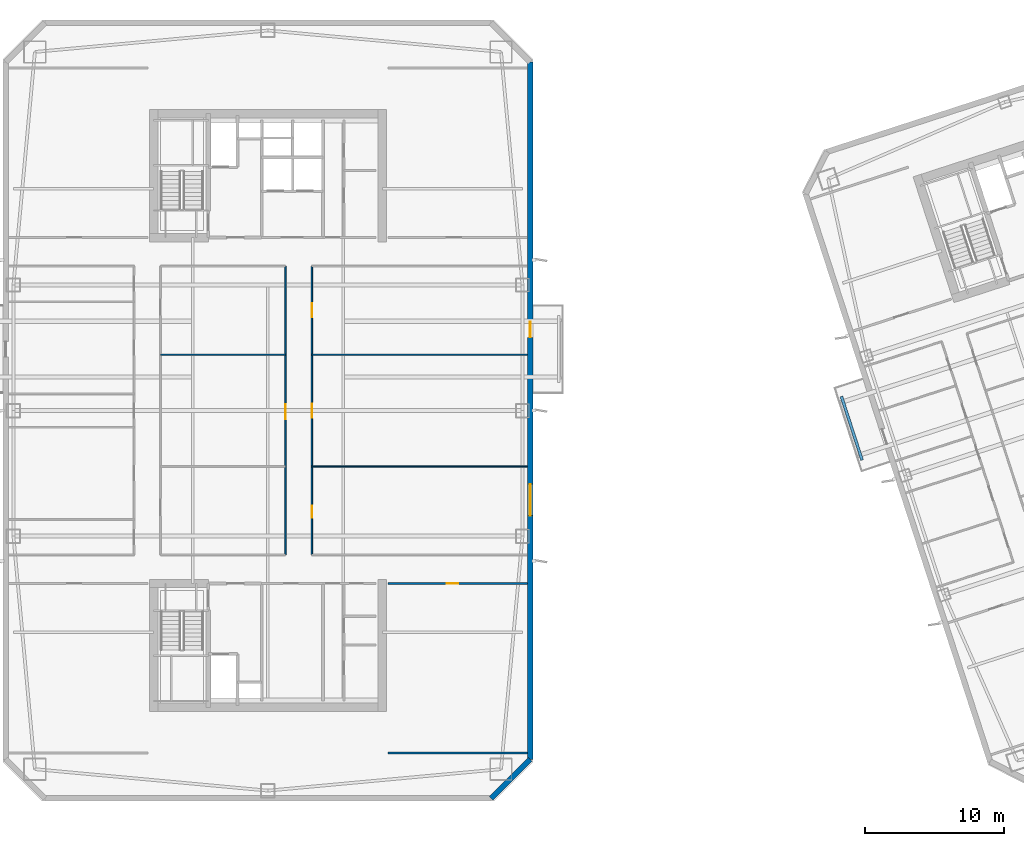
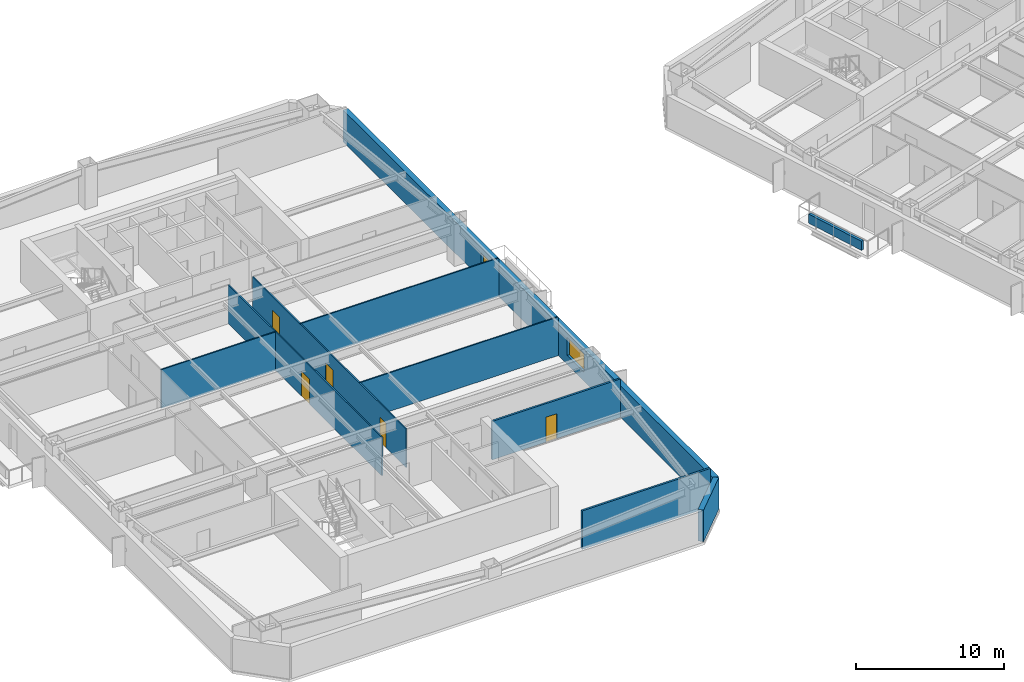
# One storey, part 6 of 17: 10 walls, 6 doors, 1 window, 7 openings.
"""IFC4 building model written with IfcOpenShell, lengths in metres."""

from ifc_helpers import new_model, si_unit, direction, frame, frame_2d, origin, place, context, subcontext, project, spatial, rectangle, extrude, material, layer, layer_set, type_object, element, fill, save


model = new_model("IFC4")

# Units and contexts
model_context = context("Model", 3, precision=1e-05, world=origin(), true_north=direction((0.0, 1.0)))
body_context = subcontext(model_context, "Body", "Model", "MODEL_VIEW")
ifc_project = project(units=[si_unit("LENGTHUNIT", "METRE"), si_unit("AREAUNIT", "SQUARE_METRE"), si_unit("VOLUMEUNIT", "CUBIC_METRE"), si_unit("PLANEANGLEUNIT", "RADIAN"), si_unit("MASSUNIT", "GRAM", prefix="KILO")], contexts=[model_context])

# Site, building, storey
site_placement = place(None, origin())
site = spatial("IfcSite", under=ifc_project, at=site_placement, CompositionType="ELEMENT")
building_placement = place(site_placement, origin())
building = spatial("IfcBuilding", under=site, at=building_placement, Name="Qiaolan Cultural Towers", CompositionType="ELEMENT")
storey_placement = place(building_placement, frame((0.0, 0.0, 142.60009765625)))
storey = spatial("IfcBuildingStorey", under=building, at=storey_placement, Name="L37", CompositionType="ELEMENT", Elevation=142.60009765625)

# Wall, openings, door, window
ifc_material_1 = material(Name="Precast Concrete C50 Honed Stone Pier", Category="masonry")
ifc_layer_1 = layer(ifc_material_1, 0.39990234375)
ifc_layer_set_1 = layer_set([ifc_layer_1], Name="Precast Concrete C50 Honed Stone Pier")
wall_type_1 = type_object("IfcWallType", Name="WL-EXT-PIER-400", PredefinedType="SOLIDWALL", material=ifc_layer_set_1)
wall_1_placement = place(storey_placement, frame((48.800048828125, 59.0, 0.0), z_axis=(0.0, 0.0, 1.0), x_axis=(0.0, -1.0, 0.0)))
wall_1 = element("IfcWall", 1, at=wall_1_placement, inside=storey, type_object=wall_type_1, Name="L37 West Tower Precast Pier Facade Wall F5", PredefinedType="SOLIDWALL", context=body_context, shape_type="SweptSolid", body=[
    extrude(rectangle(XDim=50.0, YDim=0.39990234375, at=frame_2d((25.0, 0.0))), origin(), (0.0, 0.0, 1.0), 2.60986328125),
])
opening_1_placement = place(wall_1_placement, frame((30.27490234375, 0.0, 0.75)))
opening_1 = element("IfcOpeningElement", 2, at=opening_1_placement, cuts=wall_1, Name="Opening W-03", PredefinedType="OPENING", context=body_context, shape_type="SweptSolid", body=[
    extrude(rectangle(XDim=2.25, YDim=1.4599609375, at=frame_2d((1.125, 0.72998046875))), frame((0.0, 0.2099609375, 0.0), z_axis=(0.0, -1.0, 0.0), x_axis=(1.0, 0.0, 0.0)), (0.0, 0.0, 1.0), 0.419921875),
])
opening_2_placement = place(wall_1_placement, frame((18.64990234375, 0.0, 0.0)))
opening_2 = element("IfcOpeningElement", 3, at=opening_2_placement, cuts=wall_1, Name="Opening BD-01", PredefinedType="OPENING", context=body_context, shape_type="SweptSolid", body=[
    extrude(rectangle(XDim=1.10009765625, YDim=2.14990234375, at=frame_2d((0.550048828125, 1.074951171875))), frame((0.0, 0.2099609375, 0.0), z_axis=(0.0, -1.0, 0.0), x_axis=(1.0, 0.0, 0.0)), (0.0, 0.0, 1.0), 0.419921875),
])
ifc_material_2 = material(Name="Thermally Broken Aluminium Glazed Terrace Door", Category="aluminium")
door_type_1 = type_object("IfcDoorType", Name="DR-BAL-1100", OperationType="NOTDEFINED", PredefinedType="DOOR", material=ifc_material_2)
door_1_placement = place(opening_2_placement, origin())
door_1 = element("IfcDoor", 4, at=door_1_placement, inside=storey, type_object=door_type_1, Name="L37 T1 East Tree Balcony Door", OperationType="SINGLE_SWING_RIGHT", OverallHeight=2.14990234375, OverallWidth=1.10009765625, PredefinedType="DOOR", context=body_context, shape_type="SweptSolid", body=[
    extrude(rectangle(XDim=1.10009765625, YDim=2.14990234375, at=frame_2d((0.550048828125, 1.074951171875))), frame((0.0, 0.02490234375, 0.0), z_axis=(0.0, -1.0, 0.0), x_axis=(1.0, 0.0, 0.0)), (0.0, 0.0, 1.0), 0.050048828125),
])
fill(opening_2, door_1)
ifc_material_3 = material(Name="Thermally Broken Aluminium Triple Low-E Glazing", Category="aluminium")
window_type = type_object("IfcWindowType", Name="WN-CHIC-2250", PartitioningType="SINGLE_PANEL", PredefinedType="WINDOW", material=ifc_material_3)
window_placement = place(opening_1_placement, origin())
window = element("IfcWindow", 5, at=window_placement, inside=storey, type_object=window_type, Name="L37 T1 E Chicago Bay Window 1", OverallHeight=1.4599609375, OverallWidth=2.25, PartitioningType="TRIPLE_PANEL_VERTICAL", PredefinedType="WINDOW", context=body_context, shape_type="SweptSolid", body=[
    extrude(rectangle(XDim=2.25, YDim=1.4599609375, at=frame_2d((1.125, 0.72998046875))), frame((0.0, 0.030029296875, 0.0), z_axis=(0.0, -1.0, 0.0), x_axis=(1.0, 0.0, 0.0)), (0.0, 0.0, 1.0), 0.06005859375),
])
fill(opening_1, window)

# Wall
wall_2_placement = place(storey_placement, frame((48.800048828125, 9.0, 0.0), z_axis=(0.0, 0.0, 1.0), x_axis=(-0.707106781187, -0.707106781187, 0.0)))
element("IfcWall", 6, at=wall_2_placement, inside=storey, type_object=wall_type_1, Name="L37 West Tower Precast Pier Facade Wall F6", PredefinedType="SOLIDWALL", context=body_context, shape_type="SweptSolid", body=[
    extrude(rectangle(XDim=3.9599609375, YDim=0.39990234375, at=frame_2d((1.97998046875, 0.0))), origin(), (0.0, 0.0, 1.0), 2.60986328125),
])

# Wall, opening, door
ifc_material_4 = material(Name="Acoustic Double-Glazed Partition Frame", Category="glass")
ifc_layer_2 = layer(ifc_material_4, 0.10009765625)
ifc_layer_set_2 = layer_set([ifc_layer_2], Name="Acoustic Double-Glazed Partition Frame")
wall_type_2 = type_object("IfcWallType", Name="WL-GLAZED-100", PredefinedType="MOVABLE", material=ifc_layer_set_2)
wall_3_placement = place(storey_placement, frame((31.25, 23.64990234375, 0.0), z_axis=(0.0, 0.0, 1.0), x_axis=(0.0, 1.0, 0.0)))
wall_3 = element("IfcWall", 7, at=wall_3_placement, inside=storey, type_object=wall_type_2, Name="L37 T1 Interior Wall", PredefinedType="MOVABLE", context=body_context, shape_type="SweptSolid", body=[
    extrude(rectangle(XDim=20.7001953125, YDim=0.10009765625, at=frame_2d((10.35009765625, 0.0))), origin(), (0.0, 0.0, 1.0), 3.1748046875),
])
opening_3_placement = place(wall_3_placement, frame((9.7099609375, 0.0, 0.0)))
opening_3 = element("IfcOpeningElement", 8, at=opening_3_placement, cuts=wall_3, Name="Opening ID-03", PredefinedType="OPENING", context=body_context, shape_type="SweptSolid", body=[
    extrude(rectangle(XDim=1.10009765625, YDim=2.050048828125, at=frame_2d((0.550048828125, 1.02490234375))), frame((0.0, 0.06005859375, 0.0), z_axis=(0.0, -1.0, 0.0), x_axis=(1.0, 0.0, 0.0)), (0.0, 0.0, 1.0), 0.1201171875),
])
ifc_material_5 = material(Name="Oak Veneer Solid-Core Boardroom Door", Category="timber")
door_type_2 = type_object("IfcDoorType", Name="DR-INT-1100", OperationType="NOTDEFINED", PredefinedType="DOOR", material=ifc_material_5)
door_2_placement = place(opening_3_placement, origin())
door_2 = element("IfcDoor", 9, at=door_2_placement, inside=storey, type_object=door_type_2, Name="L37 T1 Central Study Salon Door", OperationType="SINGLE_SWING_LEFT", OverallHeight=2.050048828125, OverallWidth=1.10009765625, PredefinedType="DOOR", context=body_context, shape_type="SweptSolid", body=[
    extrude(rectangle(XDim=1.10009765625, YDim=2.050048828125, at=frame_2d((0.550048828125, 1.02490234375))), frame((0.0, 0.02490234375, 0.0), z_axis=(0.0, -1.0, 0.0), x_axis=(1.0, 0.0, 0.0)), (0.0, 0.0, 1.0), 0.050048828125),
])
fill(opening_3, door_2)

# Wall, openings, doors
wall_4_placement = place(storey_placement, frame((33.14990234375, 23.64990234375, 0.0), z_axis=(0.0, 0.0, 1.0), x_axis=(0.0, 1.0, 0.0)))
wall_4 = element("IfcWall", 10, at=wall_4_placement, inside=storey, type_object=wall_type_2, Name="L37 T1 Interior Wall", PredefinedType="MOVABLE", context=body_context, shape_type="SweptSolid", body=[
    extrude(rectangle(XDim=20.7001953125, YDim=0.10009765625, at=frame_2d((10.35009765625, 0.0))), origin(), (0.0, 0.0, 1.0), 3.1748046875),
])
opening_4_placement = place(wall_4_placement, frame((2.66748046875, 0.0, 0.0)))
opening_4 = element("IfcOpeningElement", 11, at=opening_4_placement, cuts=wall_4, Name="Opening ID-09", PredefinedType="OPENING", context=body_context, shape_type="SweptSolid", body=[
    extrude(rectangle(XDim=0.85009765625, YDim=2.050048828125, at=frame_2d((0.425048828125, 1.02490234375))), frame((0.0, 0.06005859375, 0.0), z_axis=(0.0, -1.0, 0.0), x_axis=(1.0, 0.0, 0.0)), (0.0, 0.0, 1.0), 0.1201171875),
])
opening_5_placement = place(wall_4_placement, frame((9.842529296875, 0.0, 0.0)))
opening_5 = element("IfcOpeningElement", 12, at=opening_5_placement, cuts=wall_4, Name="Opening ID-04", PredefinedType="OPENING", context=body_context, shape_type="SweptSolid", body=[
    extrude(rectangle(XDim=1.0, YDim=2.050048828125, at=frame_2d((0.5, 1.02490234375))), frame((0.0, 0.06005859375, 0.0), z_axis=(0.0, -1.0, 0.0), x_axis=(1.0, 0.0, 0.0)), (0.0, 0.0, 1.0), 0.1201171875),
])
opening_6_placement = place(wall_4_placement, frame((17.02490234375, 0.0, 0.0)))
opening_6 = element("IfcOpeningElement", 13, at=opening_6_placement, cuts=wall_4, Name="Opening ID-04", PredefinedType="OPENING", context=body_context, shape_type="SweptSolid", body=[
    extrude(rectangle(XDim=1.0, YDim=2.050048828125, at=frame_2d((0.5, 1.02490234375))), frame((0.0, 0.06005859375, 0.0), z_axis=(0.0, -1.0, 0.0), x_axis=(1.0, 0.0, 0.0)), (0.0, 0.0, 1.0), 0.1201171875),
])
ifc_material_6 = material(Name="Oak Veneer Acoustic Office Door", Category="timber")
door_type_3 = type_object("IfcDoorType", Name="DR-INT-1000", OperationType="NOTDEFINED", PredefinedType="DOOR", material=ifc_material_6)
door_3_placement = place(opening_5_placement, origin())
door_3 = element("IfcDoor", 14, at=door_3_placement, inside=storey, type_object=door_type_3, Name="L37 T1 Urban Exhibition Hall Door", OperationType="SINGLE_SWING_LEFT", OverallHeight=2.050048828125, OverallWidth=1.0, PredefinedType="DOOR", context=body_context, shape_type="SweptSolid", body=[
    extrude(rectangle(XDim=1.0, YDim=2.050048828125, at=frame_2d((0.5, 1.02490234375))), frame((0.0, 0.02490234375, 0.0), z_axis=(0.0, -1.0, 0.0), x_axis=(1.0, 0.0, 0.0)), (0.0, 0.0, 1.0), 0.050048828125),
])
fill(opening_5, door_3)
door_4_placement = place(opening_6_placement, origin())
door_4 = element("IfcDoor", 15, at=door_4_placement, inside=storey, type_object=door_type_3, Name="L37 T1 Print & Book Counter Door", OperationType="SINGLE_SWING_RIGHT", OverallHeight=2.050048828125, OverallWidth=1.0, PredefinedType="DOOR", context=body_context, shape_type="SweptSolid", body=[
    extrude(rectangle(XDim=1.0, YDim=2.050048828125, at=frame_2d((0.5, 1.02490234375))), frame((0.0, 0.02490234375, 0.0), z_axis=(0.0, -1.0, 0.0), x_axis=(1.0, 0.0, 0.0)), (0.0, 0.0, 1.0), 0.050048828125),
])
fill(opening_6, door_4)
ifc_material_7 = material(Name="Moisture-Resistant Laminate Utility Door", Category="timber")
door_type_4 = type_object("IfcDoorType", Name="DR-INT-850", OperationType="NOTDEFINED", PredefinedType="DOOR", material=ifc_material_7)
door_5_placement = place(opening_4_placement, origin())
door_5 = element("IfcDoor", 16, at=door_5_placement, inside=storey, type_object=door_type_4, Name="L37 T1 Urban Exhibition Hall Door", OperationType="SINGLE_SWING_RIGHT", OverallHeight=2.050048828125, OverallWidth=0.85009765625, PredefinedType="DOOR", context=body_context, shape_type="SweptSolid", body=[
    extrude(rectangle(XDim=0.85009765625, YDim=2.050048828125, at=frame_2d((0.425048828125, 1.02490234375))), frame((0.0, 0.02490234375, 0.0), z_axis=(0.0, -1.0, 0.0), x_axis=(1.0, 0.0, 0.0)), (0.0, 0.0, 1.0), 0.050048828125),
])
fill(opening_4, door_5)

# Walls
wall_5_placement = place(storey_placement, frame((22.300048828125, 38.0, 0.0), z_axis=(0.0, 0.0, 1.0), x_axis=(1.0, 0.0, 0.0)))
element("IfcWall", 17, at=wall_5_placement, inside=storey, type_object=wall_type_2, Name="L37 T1 Interior Wall", PredefinedType="MOVABLE", context=body_context, shape_type="SweptSolid", body=[
    extrude(rectangle(XDim=8.949951171875, YDim=0.10009765625, at=frame_2d((4.47509765625, 0.0))), origin(), (0.0, 0.0, 1.0), 3.1748046875),
])
for number, where, z_axis, x_axis, name in (
    (18, (33.14990234375, 29.985107421875, 0.0), (0.0, 0.0, 1.0), (1.0, 0.0, 0.0), "L37 T1 Interior Wall"),
    (19, (33.14990234375, 38.0, 0.0), (0.0, 0.0, 1.0), (1.0, 0.0, 0.0), "L37 T1 Interior Wall"),
):
    element("IfcWall", number, at=place(storey_placement, frame(where, z_axis=z_axis, x_axis=x_axis)), inside=storey, type_object=wall_type_2, Name=name, PredefinedType="MOVABLE", context=body_context, shape_type="SweptSolid", body=[
        extrude(rectangle(XDim=15.4501953125, YDim=0.10009765625, at=frame_2d((7.72509765625, 0.0))), origin(), (0.0, 0.0, 1.0), 3.1748046875),
    ])
ifc_material_8 = material(Name="Autoclaved Aerated Concrete Block B06", Category="concrete")
ifc_layer_3 = layer(ifc_material_8, 0.14990234375)
ifc_layer_set_3 = layer_set([ifc_layer_3], Name="Autoclaved Aerated Concrete Block B06")
wall_type_3 = type_object("IfcWallType", Name="WL-PART-150", PredefinedType="PARTITIONING", material=ifc_layer_set_3)
wall_6_placement = place(storey_placement, frame((38.60009765625, 9.449951171875, 0.0), z_axis=(0.0, 0.0, 1.0), x_axis=(1.0, 0.0, 0.0)))
element("IfcWall", 20, at=wall_6_placement, inside=storey, type_object=wall_type_3, Name="L37 T1 Flank Wall FLK-SE", PredefinedType="PARTITIONING", context=body_context, shape_type="SweptSolid", body=[
    extrude(rectangle(XDim=10.0, YDim=0.14990234375, at=frame_2d((5.0, 0.0))), origin(), (0.0, 0.0, 1.0), 3.1748046875),
])

# Wall, opening, door
wall_7_placement = place(storey_placement, frame((38.60009765625, 21.60009765625, 0.0), z_axis=(0.0, 0.0, 1.0), x_axis=(1.0, 0.0, 0.0)))
wall_7 = element("IfcWall", 21, at=wall_7_placement, inside=storey, type_object=wall_type_3, Name="L37 T1 Flank Front FLK-SE", PredefinedType="PARTITIONING", context=body_context, shape_type="SweptSolid", body=[
    extrude(rectangle(XDim=10.0, YDim=0.14990234375, at=frame_2d((5.0, 0.0))), origin(), (0.0, 0.0, 1.0), 3.1748046875),
])
opening_7_placement = place(wall_7_placement, frame((4.199951171875, 0.0, 0.0)))
opening_7 = element("IfcOpeningElement", 22, at=opening_7_placement, cuts=wall_7, Name="Opening ID-09", PredefinedType="OPENING", context=body_context, shape_type="SweptSolid", body=[
    extrude(rectangle(XDim=0.85009765625, YDim=2.050048828125, at=frame_2d((0.425048828125, 1.02490234375))), frame((0.0, 0.0849609375, 0.0), z_axis=(0.0, -1.0, 0.0), x_axis=(1.0, 0.0, 0.0)), (0.0, 0.0, 1.0), 0.169921875),
])
door_6_placement = place(opening_7_placement, origin())
door_6 = element("IfcDoor", 23, at=door_6_placement, inside=storey, type_object=door_type_4, Name="L37 T1 Corner Studio Door", OperationType="SINGLE_SWING_LEFT", OverallHeight=2.050048828125, OverallWidth=0.85009765625, PredefinedType="DOOR", context=body_context, shape_type="SweptSolid", body=[
    extrude(rectangle(XDim=0.85009765625, YDim=2.050048828125, at=frame_2d((0.425048828125, 1.02490234375))), frame((0.0, 0.02490234375, 0.0), z_axis=(0.0, -1.0, 0.0), x_axis=(1.0, 0.0, 0.0)), (0.0, 0.0, 1.0), 0.050048828125),
])
fill(opening_7, door_6)

# Wall
ifc_material_9 = material(Name="Precast Concrete C45 Tree Planter Upstand", Category="concrete")
ifc_layer_4 = layer(ifc_material_9, 0.199951171875)
ifc_layer_set_4 = layer_set([ifc_layer_4], Name="Precast Concrete C45 Tree Planter Upstand")
wall_type_4 = type_object("IfcWallType", Name="WL-PLANTER-200", PredefinedType="PARAPET", material=ifc_layer_set_4)
wall_8_placement = place(storey_placement, frame((72.595703125, 30.447998046875, 0.0), z_axis=(0.0, 0.0, 1.0), x_axis=(-0.30900096172, 0.951061725471, 0.0)))
element("IfcWall", 24, at=wall_8_placement, inside=storey, type_object=wall_type_4, Name="L37 T2 Tree Balcony Soil Planter Box W", PredefinedType="PARAPET", context=body_context, shape_type="SweptSolid", body=[
    extrude(rectangle(XDim=4.7998046875, YDim=0.199951171875, at=frame_2d((2.39990234375, 0.0))), origin(), (0.0, 0.0, 1.0), 0.75),
])

save(model, "model.ifc")
